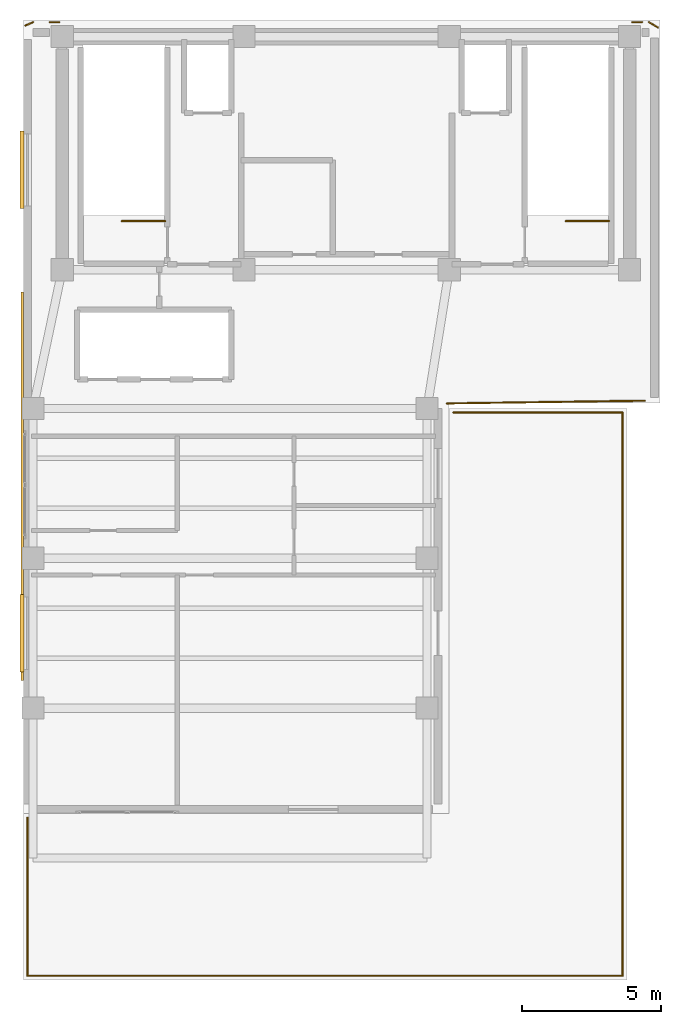
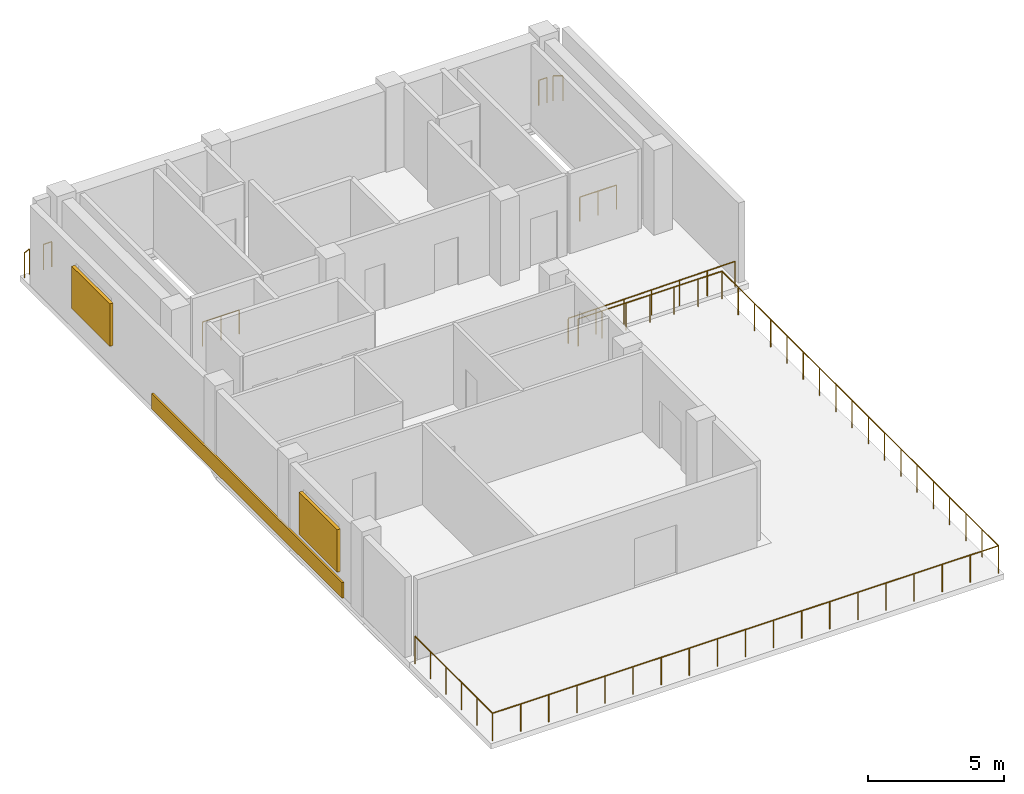
# One storey, part 7 of 7: 11 railings, 2 shading devices, 1 covering.
"""IFC4 building model written with IfcOpenShell, lengths in metres."""

from ifc_helpers import new_model, si_unit, direction, frame, origin, origin_2d, place, context, subcontext, project, spatial, rectangle, circle, extrude, material, layer, layer_set, type_object, element, save


model = new_model("IFC4")

# Units and contexts
model_context = context("Model", 3, precision=1e-05, world=origin(), true_north=direction((0.0, 1.0)))
body_context = subcontext(model_context, "Body", "Model", "MODEL_VIEW")
ifc_project = project(units=[si_unit("LENGTHUNIT", "METRE"), si_unit("AREAUNIT", "SQUARE_METRE"), si_unit("VOLUMEUNIT", "CUBIC_METRE"), si_unit("PLANEANGLEUNIT", "RADIAN"), si_unit("MASSUNIT", "GRAM", prefix="KILO")], contexts=[model_context])

# Site, building, storey
site_placement = place(None, origin())
site = spatial("IfcSite", under=ifc_project, at=site_placement, CompositionType="ELEMENT")
building_placement = place(site_placement, origin())
building = spatial("IfcBuilding", under=site, at=building_placement, Name="Kuzgunbayir Cultural Tower", CompositionType="ELEMENT")
storey_placement = place(building_placement, frame((0.0, 0.0, 250.39990234375)))
storey = spatial("IfcBuildingStorey", under=building, at=storey_placement, Name="L74", CompositionType="ELEMENT", Elevation=250.39990234375)

# Covering
ifc_material_1 = material(Name="Perforated Bronze-Anodised Aluminium", Category="aluminium")
ifc_layer_1 = layer(ifc_material_1, 0.080078125)
ifc_layer_set_1 = layer_set([ifc_layer_1], Name="Perforated Bronze-Anodised Aluminium")
covering_type = type_object("IfcCoveringType", Name="COV-CLAD-BRONZE-8", PredefinedType="CLADDING", material=ifc_layer_set_1)
covering_placement = place(storey_placement, frame((5.010009765625, 26.0, 0.0), z_axis=(0.0, 0.0, 1.0), x_axis=(1.0, 0.0, 0.0)))
element("IfcCovering", 1, at=covering_placement, inside=storey, type_object=covering_type, Name="L74 Architectural Spandrel Cladding Band", PredefinedType="CLADDING", context=body_context, shape_type="SweptSolid", body=[
    extrude(rectangle(XDim=0.080078125, YDim=14.0, at=origin_2d()), origin(), (0.0, 0.0, 1.0), 0.699951171875),
])

# Railings
ifc_material_2 = material(Name="Laminated Glass and Stainless Steel", Category="steel")
ifc_layer_2 = layer(ifc_material_2, 0.080078125)
ifc_layer_set_2 = layer_set([ifc_layer_2], Name="Laminated Glass and Stainless Steel")
railing_type_1 = type_object("IfcRailingType", Name="RLG-BAL-115", PredefinedType="BALUSTRADE", material=ifc_layer_set_2)
railing_1_placement = place(storey_placement, frame((5.1298828125, 42.60009765625, 0.0)))
element("IfcRailing", 2, at=railing_1_placement, inside=storey, type_object=railing_type_1, Name="L74 Perimeter Edge Guard 1", PredefinedType="BALUSTRADE", context=body_context, shape_type="SweptSolid", body=[
    extrude(circle(Radius=0.02392578125, at=origin_2d()), frame((0.0, 0.0, 1.1259765625), z_axis=(0.91398185687, 0.405755055807, 0.0), x_axis=(-0.405755055807, 0.91398185687, 0.0)), (0.0, 0.0, 1.0), 0.29541015625),
    extrude(circle(Radius=0.02099609375, at=origin_2d()), origin(), (0.0, 0.0, 1.0), 1.101806640625),
    extrude(circle(Radius=0.02099609375, at=origin_2d()), frame((0.27001953125, 0.119873046875, 0.0)), (0.0, 0.0, 1.0), 1.101806640625),
])
for number, where, name in (
    (3, (6.0, 42.719970703125, 0.0), "L74 Perimeter Edge Guard 2"),
    (4, (27.0, 42.719970703125, 0.0), "L74 Perimeter Edge Guard 3"),
):
    element("IfcRailing", number, at=place(storey_placement, frame(where)), inside=storey, type_object=railing_type_1, Name=name, PredefinedType="BALUSTRADE", context=body_context, shape_type="SweptSolid", body=[
        extrude(circle(Radius=0.02392578125, at=origin_2d()), frame((0.0, 0.0, 1.1259765625), z_axis=(1.0, 0.0, 0.0), x_axis=(0.0, 1.0, 0.0)), (0.0, 0.0, 1.0), 0.35009765625),
        extrude(circle(Radius=0.02099609375, at=origin_2d()), origin(), (0.0, 0.0, 1.0), 1.101806640625),
        extrude(circle(Radius=0.02099609375, at=origin_2d()), frame((0.35009765625, 0.0, 0.0)), (0.0, 0.0, 1.0), 1.101806640625),
    ])
railing_2_placement = place(storey_placement, frame((27.60009765625, 42.719970703125, 0.0)))
element("IfcRailing", 5, at=railing_2_placement, inside=storey, type_object=railing_type_1, Name="L74 Perimeter Edge Guard 4", PredefinedType="BALUSTRADE", context=body_context, shape_type="SweptSolid", body=[
    extrude(circle(Radius=0.02392578125, at=origin_2d()), frame((0.0, 0.0, 1.1259765625), z_axis=(0.859800715668, -0.510629738007, 0.0), x_axis=(0.510629738007, 0.859800715668, 0.0)), (0.0, 0.0, 1.0), 0.3720703125),
    extrude(circle(Radius=0.02099609375, at=origin_2d()), origin(), (0.0, 0.0, 1.0), 1.101806640625),
    extrude(circle(Radius=0.02099609375, at=origin_2d()), frame((0.31982421875, -0.18994140625, 0.0)), (0.0, 0.0, 1.0), 1.101806640625),
])
railing_3_placement = place(storey_placement, frame((27.449951171875, 29.080078125, 0.0)))
element("IfcRailing", 6, at=railing_3_placement, inside=storey, type_object=railing_type_1, Name="L74 Perimeter Edge Guard 5", PredefinedType="BALUSTRADE", context=body_context, shape_type="SweptSolid", body=[
    extrude(circle(Radius=0.02392578125, at=origin_2d()), frame((0.0, 0.0, 1.1259765625), z_axis=(-0.99990146538, -0.014037789372, 0.0), x_axis=(0.014037789372, -0.99990146538, 0.0)), (0.0, 0.0, 1.0), 7.130615234375),
    extrude(circle(Radius=0.02099609375, at=origin_2d()), origin(), (0.0, 0.0, 1.0), 1.101806640625),
    extrude(circle(Radius=0.02099609375, at=origin_2d()), frame((-1.188232421875, -0.0166015625, 0.0)), (0.0, 0.0, 1.0), 1.101806640625),
    extrude(circle(Radius=0.02099609375, at=origin_2d()), frame((-2.376708984375, -0.033447265625, 0.0)), (0.0, 0.0, 1.0), 1.101806640625),
    extrude(circle(Radius=0.02099609375, at=origin_2d()), frame((-3.56494140625, -0.050048828125, 0.0)), (0.0, 0.0, 1.0), 1.101806640625),
    extrude(circle(Radius=0.02099609375, at=origin_2d()), frame((-4.753173828125, -0.066650390625, 0.0)), (0.0, 0.0, 1.0), 1.101806640625),
    extrude(circle(Radius=0.02099609375, at=origin_2d()), frame((-5.941650390625, -0.08349609375, 0.0)), (0.0, 0.0, 1.0), 1.101806640625),
    extrude(circle(Radius=0.02099609375, at=origin_2d()), frame((-7.1298828125, -0.10009765625, 0.0)), (0.0, 0.0, 1.0), 1.101806640625),
])
ifc_material_3 = material(Name="Laminated Glass and Bronze Top Rail", Category="glass")
ifc_layer_3 = layer(ifc_material_3, 0.10009765625)
ifc_layer_set_3 = layer_set([ifc_layer_3], Name="Laminated Glass and Bronze Top Rail")
railing_type_2 = type_object("IfcRailingType", Name="RLG-LOOKOUT-125", PredefinedType="BALUSTRADE", material=ifc_layer_set_3)
railing_4_placement = place(storey_placement, frame((5.199951171875, 14.050048828125, 0.0)))
element("IfcRailing", 7, at=railing_4_placement, inside=storey, type_object=railing_type_2, Name="L74 Crown Lookout Perimeter Balustrade Segment 1", PredefinedType="BALUSTRADE", context=body_context, shape_type="SweptSolid", body=[
    extrude(circle(Radius=0.02392578125, at=origin_2d()), frame((0.0, 0.0, 1.22607421875), z_axis=(0.0, -1.0, 0.0), x_axis=(1.0, 0.0, 0.0)), (0.0, 0.0, 1.0), 5.699951171875),
    extrude(circle(Radius=0.02099609375, at=origin_2d()), origin(), (0.0, 0.0, 1.0), 1.201904296875),
    extrude(circle(Radius=0.02099609375, at=origin_2d()), frame((0.0, -1.139892578125, 0.0)), (0.0, 0.0, 1.0), 1.201904296875),
    extrude(circle(Radius=0.02099609375, at=origin_2d()), frame((0.0, -2.280029296875, 0.0)), (0.0, 0.0, 1.0), 1.201904296875),
    extrude(circle(Radius=0.02099609375, at=origin_2d()), frame((0.0, -3.419921875, 0.0)), (0.0, 0.0, 1.0), 1.201904296875),
    extrude(circle(Radius=0.02099609375, at=origin_2d()), frame((0.0, -4.56005859375, 0.0)), (0.0, 0.0, 1.0), 1.201904296875),
    extrude(circle(Radius=0.02099609375, at=origin_2d()), frame((0.0, -5.699951171875, 0.0)), (0.0, 0.0, 1.0), 1.201904296875),
])
railing_5_placement = place(storey_placement, frame((5.199951171875, 8.35009765625, 0.0)))
element("IfcRailing", 8, at=railing_5_placement, inside=storey, type_object=railing_type_2, Name="L74 Crown Lookout Perimeter Balustrade Segment 2", PredefinedType="BALUSTRADE", context=body_context, shape_type="SweptSolid", body=[
    extrude(circle(Radius=0.02392578125, at=origin_2d()), frame((0.0, 0.0, 1.22607421875), z_axis=(1.0, 0.0, 0.0), x_axis=(0.0, 1.0, 0.0)), (0.0, 0.0, 1.0), 21.449951171875),
    extrude(circle(Radius=0.02099609375, at=origin_2d()), origin(), (0.0, 0.0, 1.0), 1.201904296875),
    extrude(circle(Radius=0.02099609375, at=origin_2d()), frame((1.191650390625, 0.0, 0.0)), (0.0, 0.0, 1.0), 1.201904296875),
    extrude(circle(Radius=0.02099609375, at=origin_2d()), frame((2.38330078125, 0.0, 0.0)), (0.0, 0.0, 1.0), 1.201904296875),
    extrude(circle(Radius=0.02099609375, at=origin_2d()), frame((3.574951171875, 0.0, 0.0)), (0.0, 0.0, 1.0), 1.201904296875),
    extrude(circle(Radius=0.02099609375, at=origin_2d()), frame((4.7666015625, 0.0, 0.0)), (0.0, 0.0, 1.0), 1.201904296875),
    extrude(circle(Radius=0.02099609375, at=origin_2d()), frame((5.958251953125, 0.0, 0.0)), (0.0, 0.0, 1.0), 1.201904296875),
    extrude(circle(Radius=0.02099609375, at=origin_2d()), frame((7.14990234375, 0.0, 0.0)), (0.0, 0.0, 1.0), 1.201904296875),
    extrude(circle(Radius=0.02099609375, at=origin_2d()), frame((8.341552734375, 0.0, 0.0)), (0.0, 0.0, 1.0), 1.201904296875),
    extrude(circle(Radius=0.02099609375, at=origin_2d()), frame((9.533203125, 0.0, 0.0)), (0.0, 0.0, 1.0), 1.201904296875),
    extrude(circle(Radius=0.02099609375, at=origin_2d()), frame((10.72509765625, 0.0, 0.0)), (0.0, 0.0, 1.0), 1.201904296875),
    extrude(circle(Radius=0.02099609375, at=origin_2d()), frame((11.916748046875, 0.0, 0.0)), (0.0, 0.0, 1.0), 1.201904296875),
    extrude(circle(Radius=0.02099609375, at=origin_2d()), frame((13.1083984375, 0.0, 0.0)), (0.0, 0.0, 1.0), 1.201904296875),
    extrude(circle(Radius=0.02099609375, at=origin_2d()), frame((14.300048828125, 0.0, 0.0)), (0.0, 0.0, 1.0), 1.201904296875),
    extrude(circle(Radius=0.02099609375, at=origin_2d()), frame((15.49169921875, 0.0, 0.0)), (0.0, 0.0, 1.0), 1.201904296875),
    extrude(circle(Radius=0.02099609375, at=origin_2d()), frame((16.683349609375, 0.0, 0.0)), (0.0, 0.0, 1.0), 1.201904296875),
    extrude(circle(Radius=0.02099609375, at=origin_2d()), frame((17.875, 0.0, 0.0)), (0.0, 0.0, 1.0), 1.201904296875),
    extrude(circle(Radius=0.02099609375, at=origin_2d()), frame((19.066650390625, 0.0, 0.0)), (0.0, 0.0, 1.0), 1.201904296875),
    extrude(circle(Radius=0.02099609375, at=origin_2d()), frame((20.25830078125, 0.0, 0.0)), (0.0, 0.0, 1.0), 1.201904296875),
    extrude(circle(Radius=0.02099609375, at=origin_2d()), frame((21.449951171875, 0.0, 0.0)), (0.0, 0.0, 1.0), 1.201904296875),
])
railing_6_placement = place(storey_placement, frame((26.64990234375, 8.35009765625, 0.0)))
element("IfcRailing", 9, at=railing_6_placement, inside=storey, type_object=railing_type_2, Name="L74 Crown Lookout Perimeter Balustrade Segment 3", PredefinedType="BALUSTRADE", context=body_context, shape_type="SweptSolid", body=[
    extrude(circle(Radius=0.02392578125, at=origin_2d()), frame((0.0, 0.0, 1.22607421875), z_axis=(0.0, 1.0, 0.0), x_axis=(-1.0, 0.0, 0.0)), (0.0, 0.0, 1.0), 20.2998046875),
    extrude(circle(Radius=0.02099609375, at=origin_2d()), origin(), (0.0, 0.0, 1.0), 1.201904296875),
    extrude(circle(Radius=0.02099609375, at=origin_2d()), frame((0.0, 1.194091796875, 0.0)), (0.0, 0.0, 1.0), 1.201904296875),
    extrude(circle(Radius=0.02099609375, at=origin_2d()), frame((0.0, 2.38818359375, 0.0)), (0.0, 0.0, 1.0), 1.201904296875),
    extrude(circle(Radius=0.02099609375, at=origin_2d()), frame((0.0, 3.582275390625, 0.0)), (0.0, 0.0, 1.0), 1.201904296875),
    extrude(circle(Radius=0.02099609375, at=origin_2d()), frame((0.0, 4.7763671875, 0.0)), (0.0, 0.0, 1.0), 1.201904296875),
    extrude(circle(Radius=0.02099609375, at=origin_2d()), frame((0.0, 5.970458984375, 0.0)), (0.0, 0.0, 1.0), 1.201904296875),
    extrude(circle(Radius=0.02099609375, at=origin_2d()), frame((0.0, 7.16455078125, 0.0)), (0.0, 0.0, 1.0), 1.201904296875),
    extrude(circle(Radius=0.02099609375, at=origin_2d()), frame((0.0, 8.358642578125, 0.0)), (0.0, 0.0, 1.0), 1.201904296875),
    extrude(circle(Radius=0.02099609375, at=origin_2d()), frame((0.0, 9.552734375, 0.0)), (0.0, 0.0, 1.0), 1.201904296875),
    extrude(circle(Radius=0.02099609375, at=origin_2d()), frame((0.0, 10.7470703125, 0.0)), (0.0, 0.0, 1.0), 1.201904296875),
    extrude(circle(Radius=0.02099609375, at=origin_2d()), frame((0.0, 11.941162109375, 0.0)), (0.0, 0.0, 1.0), 1.201904296875),
    extrude(circle(Radius=0.02099609375, at=origin_2d()), frame((0.0, 13.13525390625, 0.0)), (0.0, 0.0, 1.0), 1.201904296875),
    extrude(circle(Radius=0.02099609375, at=origin_2d()), frame((0.0, 14.329345703125, 0.0)), (0.0, 0.0, 1.0), 1.201904296875),
    extrude(circle(Radius=0.02099609375, at=origin_2d()), frame((0.0, 15.5234375, 0.0)), (0.0, 0.0, 1.0), 1.201904296875),
    extrude(circle(Radius=0.02099609375, at=origin_2d()), frame((0.0, 16.717529296875, 0.0)), (0.0, 0.0, 1.0), 1.201904296875),
    extrude(circle(Radius=0.02099609375, at=origin_2d()), frame((0.0, 17.91162109375, 0.0)), (0.0, 0.0, 1.0), 1.201904296875),
    extrude(circle(Radius=0.02099609375, at=origin_2d()), frame((0.0, 19.105712890625, 0.0)), (0.0, 0.0, 1.0), 1.201904296875),
    extrude(circle(Radius=0.02099609375, at=origin_2d()), frame((0.0, 20.2998046875, 0.0)), (0.0, 0.0, 1.0), 1.201904296875),
])
railing_7_placement = place(storey_placement, frame((26.64990234375, 28.64990234375, 0.0)))
element("IfcRailing", 10, at=railing_7_placement, inside=storey, type_object=railing_type_2, Name="L74 Crown Lookout Perimeter Balustrade Segment 4", PredefinedType="BALUSTRADE", context=body_context, shape_type="SweptSolid", body=[
    extrude(circle(Radius=0.02392578125, at=origin_2d()), frame((0.0, 0.0, 1.22607421875), z_axis=(-1.0, 0.0, 0.0), x_axis=(0.0, -1.0, 0.0)), (0.0, 0.0, 1.0), 6.099853515625),
    extrude(circle(Radius=0.02099609375, at=origin_2d()), origin(), (0.0, 0.0, 1.0), 1.201904296875),
    extrude(circle(Radius=0.02099609375, at=origin_2d()), frame((-1.0166015625, 0.0, 0.0)), (0.0, 0.0, 1.0), 1.201904296875),
    extrude(circle(Radius=0.02099609375, at=origin_2d()), frame((-2.033203125, 0.0, 0.0)), (0.0, 0.0, 1.0), 1.201904296875),
    extrude(circle(Radius=0.02099609375, at=origin_2d()), frame((-3.0498046875, 0.0, 0.0)), (0.0, 0.0, 1.0), 1.201904296875),
    extrude(circle(Radius=0.02099609375, at=origin_2d()), frame((-4.066650390625, 0.0, 0.0)), (0.0, 0.0, 1.0), 1.201904296875),
    extrude(circle(Radius=0.02099609375, at=origin_2d()), frame((-5.083251953125, 0.0, 0.0)), (0.0, 0.0, 1.0), 1.201904296875),
    extrude(circle(Radius=0.02099609375, at=origin_2d()), frame((-6.099853515625, 0.0, 0.0)), (0.0, 0.0, 1.0), 1.201904296875),
])
ifc_material_4 = material(Name="Painted Steel Balustrade", Category="steel")
ifc_layer_4 = layer(ifc_material_4, 0.06005859375)
ifc_layer_set_4 = layer_set([ifc_layer_4], Name="Painted Steel Balustrade")
railing_type_3 = type_object("IfcRailingType", Name="RLG-WELL-GUARD", PredefinedType="GUARDRAIL", material=ifc_layer_set_4)
for number, where, name in (
    (11, (10.159912109375, 35.550048828125, 0.0), "L74 ST-1 top well guard 1"),
    (12, (26.159912109375, 35.550048828125, 0.0), "L74 ST-2 top well guard 1"),
):
    element("IfcRailing", number, at=place(storey_placement, frame(where)), inside=storey, type_object=railing_type_3, Name=name, PredefinedType="GUARDRAIL", context=body_context, shape_type="SweptSolid", body=[
        extrude(circle(Radius=0.02392578125, at=origin_2d()), frame((0.0, 0.0, 1.076171875), z_axis=(-1.0, 0.0, 0.0), x_axis=(0.0, -1.0, 0.0)), (0.0, 0.0, 1.0), 1.559814453125),
        extrude(circle(Radius=0.02099609375, at=origin_2d()), origin(), (0.0, 0.0, 1.0), 1.052001953125),
        extrude(circle(Radius=0.02099609375, at=origin_2d()), frame((-0.77978515625, 0.0, 0.0)), (0.0, 0.0, 1.0), 1.052001953125),
        extrude(circle(Radius=0.02099609375, at=origin_2d()), frame((-1.559814453125, 0.0, 0.0)), (0.0, 0.0, 1.0), 1.052001953125),
    ])

# Shading devices
shading_device_type = type_object("IfcShadingDeviceType", Name="SHD-SOLAR-BRONZE", PredefinedType="JALOUSIE", material=ifc_material_1)
for number, where, z_axis, x_axis, name in (
    (13, (5.0, 20.699951171875, 1.000244140625), (0.0, 0.0, 1.0), (1.0, 0.0, 0.0), "L74 Perforated Bronze Solar Screen WAW1"),
    (14, (5.0, 37.39990234375, 1.000244140625), (0.0, 0.0, 1.0), (1.0, 0.0, 0.0), "L74 Perforated Bronze Solar Screen WAW2"),
):
    element("IfcShadingDevice", number, at=place(storey_placement, frame(where, z_axis=z_axis, x_axis=x_axis)), inside=storey, type_object=shading_device_type, Name=name, PredefinedType="JALOUSIE", context=body_context, shape_type="SweptSolid", body=[
        extrude(rectangle(XDim=0.139892578125, YDim=2.800048828125, at=origin_2d()), origin(), (0.0, 0.0, 1.0), 1.89990234375),
    ])

save(model, "model.ifc")
